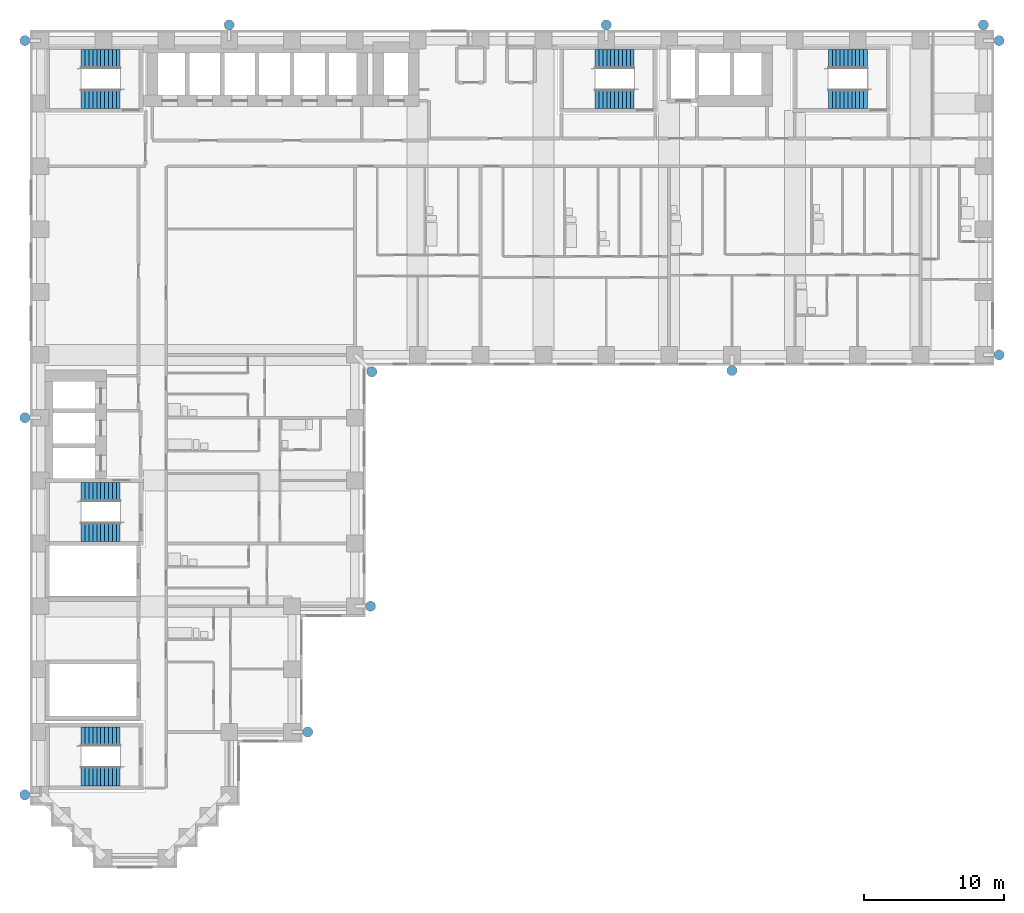
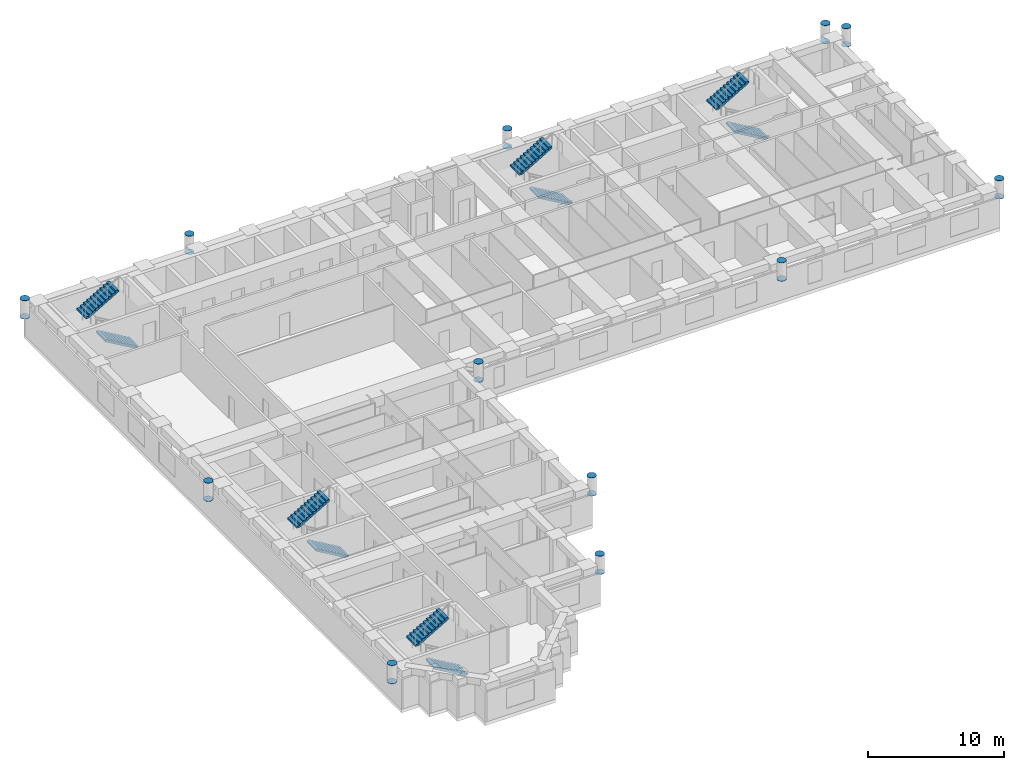
# One storey, part 12 of 14: 24 discrete accessories, 10 stair flights, 5 elements without a shape of their own.
"""IFC4 building model written with IfcOpenShell, lengths in metres."""

from ifc_helpers import new_model, si_unit, direction, frame, origin, origin_2d, place, context, subcontext, project, spatial, polyline, circle, outline, extrude, material, material_profile, profile_set, type_object, element, aggregate, save


model = new_model("IFC4")

# Units and contexts
model_context = context("Model", 3, precision=1e-05, world=origin(), true_north=direction((0.0, 1.0)))
body_context = subcontext(model_context, "Body", "Model", "MODEL_VIEW")
ifc_project = project(units=[si_unit("LENGTHUNIT", "METRE"), si_unit("AREAUNIT", "SQUARE_METRE"), si_unit("VOLUMEUNIT", "CUBIC_METRE"), si_unit("PLANEANGLEUNIT", "RADIAN"), si_unit("MASSUNIT", "GRAM", prefix="KILO")], contexts=[model_context])

# Site, building, storey
site_placement = place(None, origin())
site = spatial("IfcSite", under=ifc_project, at=site_placement, CompositionType="ELEMENT")
building_placement = place(site_placement, origin())
building = spatial("IfcBuilding", under=site, at=building_placement, Name="Firuza Court", CompositionType="ELEMENT")
storey_placement = place(building_placement, frame((0.0, 0.0, 90.199951171875)))
storey = spatial("IfcBuildingStorey", under=building, at=storey_placement, Name="L22", CompositionType="ELEMENT", Elevation=90.199951171875)

# Stair, stair flights
ifc_material_1 = material(Name="Concrete C40/50 precast", Category="concrete")
stair_type = type_object("IfcStairType", Name="Stair 1350 x 3600 2 flights", PredefinedType="HALF_TURN_STAIR", material=ifc_material_1)
stair_1_placement = place(storey_placement, origin())
stair_1 = element("IfcStair", 1, at=stair_1_placement, inside=storey, type_object=stair_type, Name="Stair 1 L22", PredefinedType="HALF_TURN_STAIR")
ifc_material_2 = material(Name="Concrete C40/50 precast", Category="concrete")
stair_flight_type = type_object("IfcStairFlightType", Name="Flight 1350 riser 163.6", PredefinedType="STRAIGHT", material=ifc_material_2)
stair_flight_1_placement = place(storey_placement, frame((42.5, 54.324951171875, 0.0), z_axis=(0.0, 0.0, 1.0), x_axis=(-1.0, 0.0, 0.0)))
stair_flight_1 = element("IfcStairFlight", 2, at=stair_flight_1_placement, type_object=stair_flight_type, Name="S1 flight 1", NumberOfRisers=11, NumberOfTreads=10, PredefinedType="STRAIGHT", RiserHeight=0.163636364, TreadLength=0.28, context=body_context, shape_type="SweptSolid", body=[
    extrude(outline(polyline([(0.0, 0.0), (0.0, 0.16357421875), (0.280029296875, 0.16357421875), (0.280029296875, 0.327392578125), (0.56005859375, 0.327392578125), (0.56005859375, 0.490966796875), (0.840087890625, 0.490966796875), (0.840087890625, 0.654541015625), (1.1201171875, 0.654541015625), (1.1201171875, 0.818115234375), (1.39990234375, 0.818115234375), (1.39990234375, 0.98193359375), (1.679931640625, 0.98193359375), (1.679931640625, 1.1455078125), (1.9599609375, 1.1455078125), (1.9599609375, 1.30908203125), (2.239990234375, 1.30908203125), (2.239990234375, 1.47265625), (2.52001953125, 1.47265625), (2.52001953125, 1.636474609375), (2.800048828125, 1.636474609375), (2.800048828125, 1.800048828125), (2.800048828125, 1.462646484375), (0.297119140625, 0.0), (0.0, 0.0)])), frame((0.0, 0.675048828125, 0.0), z_axis=(0.0, -1.0, 0.0), x_axis=(1.0, 0.0, 0.0)), (0.0, 0.0, 1.0), 1.35009765625),
])
stair_flight_2_placement = place(storey_placement, frame((39.699951171875, 57.175048828125, 1.800048828125), z_axis=(0.0, 0.0, 1.0), x_axis=(1.0, 0.0, 0.0)))
stair_flight_2 = element("IfcStairFlight", 3, at=stair_flight_2_placement, type_object=stair_flight_type, Name="S1 flight 2", NumberOfRisers=11, NumberOfTreads=10, PredefinedType="STRAIGHT", RiserHeight=0.163636364, TreadLength=0.28, context=body_context, shape_type="SweptSolid", body=[
    extrude(outline(polyline([(0.0, 0.0), (0.0, 0.16357421875), (0.280029296875, 0.16357421875), (0.280029296875, 0.327392578125), (0.56005859375, 0.327392578125), (0.56005859375, 0.490966796875), (0.840087890625, 0.490966796875), (0.840087890625, 0.654541015625), (1.1201171875, 0.654541015625), (1.1201171875, 0.818115234375), (1.39990234375, 0.818115234375), (1.39990234375, 0.98193359375), (1.679931640625, 0.98193359375), (1.679931640625, 1.1455078125), (1.9599609375, 1.1455078125), (1.9599609375, 1.30908203125), (2.239990234375, 1.30908203125), (2.239990234375, 1.47265625), (2.52001953125, 1.47265625), (2.52001953125, 1.636474609375), (2.800048828125, 1.636474609375), (2.800048828125, 1.800048828125), (2.800048828125, 1.462646484375), (0.297119140625, 0.0), (0.0, 0.0)])), frame((0.0, 0.675048828125, 0.0), z_axis=(0.0, -1.0, 0.0), x_axis=(1.0, 0.0, 0.0)), (0.0, 0.0, 1.0), 1.35009765625),
])
aggregate(stair_1, [stair_flight_1, stair_flight_2])

stair_2_placement = place(storey_placement, origin())
stair_2 = element("IfcStair", 4, at=stair_2_placement, inside=storey, type_object=stair_type, Name="Stair 2 L22", PredefinedType="HALF_TURN_STAIR")
stair_flight_3_placement = place(storey_placement, frame((5.699951171875, 23.324951171875, 0.0), z_axis=(0.0, 0.0, 1.0), x_axis=(-1.0, 0.0, 0.0)))
stair_flight_3 = element("IfcStairFlight", 5, at=stair_flight_3_placement, type_object=stair_flight_type, Name="S2 flight 1", NumberOfRisers=11, NumberOfTreads=10, PredefinedType="STRAIGHT", RiserHeight=0.163636364, TreadLength=0.28, context=body_context, shape_type="SweptSolid", body=[
    extrude(outline(polyline([(0.0, 0.0), (0.0, 0.16357421875), (0.280029296875, 0.16357421875), (0.280029296875, 0.327392578125), (0.56005859375, 0.327392578125), (0.56005859375, 0.490966796875), (0.840087890625, 0.490966796875), (0.840087890625, 0.654541015625), (1.1201171875, 0.654541015625), (1.1201171875, 0.818115234375), (1.39990234375, 0.818115234375), (1.39990234375, 0.98193359375), (1.679931640625, 0.98193359375), (1.679931640625, 1.1455078125), (1.9599609375, 1.1455078125), (1.9599609375, 1.30908203125), (2.239990234375, 1.30908203125), (2.239990234375, 1.47265625), (2.52001953125, 1.47265625), (2.52001953125, 1.636474609375), (2.800048828125, 1.636474609375), (2.800048828125, 1.800048828125), (2.800048828125, 1.462646484375), (0.297119140625, 0.0), (0.0, 0.0)])), frame((0.0, 0.675048828125, 0.0), z_axis=(0.0, -1.0, 0.0), x_axis=(1.0, 0.0, 0.0)), (0.0, 0.0, 1.0), 1.35009765625),
])
stair_flight_4_placement = place(storey_placement, frame((2.89990234375, 26.175048828125, 1.800048828125), z_axis=(0.0, 0.0, 1.0), x_axis=(1.0, 0.0, 0.0)))
stair_flight_4 = element("IfcStairFlight", 6, at=stair_flight_4_placement, type_object=stair_flight_type, Name="S2 flight 2", NumberOfRisers=11, NumberOfTreads=10, PredefinedType="STRAIGHT", RiserHeight=0.163636364, TreadLength=0.28, context=body_context, shape_type="SweptSolid", body=[
    extrude(outline(polyline([(0.0, 0.0), (0.0, 0.16357421875), (0.280029296875, 0.16357421875), (0.280029296875, 0.327392578125), (0.56005859375, 0.327392578125), (0.56005859375, 0.490966796875), (0.840087890625, 0.490966796875), (0.840087890625, 0.654541015625), (1.1201171875, 0.654541015625), (1.1201171875, 0.818115234375), (1.39990234375, 0.818115234375), (1.39990234375, 0.98193359375), (1.679931640625, 0.98193359375), (1.679931640625, 1.1455078125), (1.9599609375, 1.1455078125), (1.9599609375, 1.30908203125), (2.239990234375, 1.30908203125), (2.239990234375, 1.47265625), (2.52001953125, 1.47265625), (2.52001953125, 1.636474609375), (2.800048828125, 1.636474609375), (2.800048828125, 1.800048828125), (2.800048828125, 1.462646484375), (0.297119140625, 0.0), (0.0, 0.0)])), frame((0.0, 0.675048828125, 0.0), z_axis=(0.0, -1.0, 0.0), x_axis=(1.0, 0.0, 0.0)), (0.0, 0.0, 1.0), 1.35009765625),
])
aggregate(stair_2, [stair_flight_3, stair_flight_4])

stair_3_placement = place(storey_placement, origin())
stair_3 = element("IfcStair", 7, at=stair_3_placement, inside=storey, type_object=stair_type, Name="Stair 3 L22", PredefinedType="HALF_TURN_STAIR")
stair_flight_5_placement = place(storey_placement, frame((5.699951171875, 54.324951171875, 0.0), z_axis=(0.0, 0.0, 1.0), x_axis=(-1.0, 0.0, 0.0)))
stair_flight_5 = element("IfcStairFlight", 8, at=stair_flight_5_placement, type_object=stair_flight_type, Name="S3 flight 1", NumberOfRisers=11, NumberOfTreads=10, PredefinedType="STRAIGHT", RiserHeight=0.163636364, TreadLength=0.28, context=body_context, shape_type="SweptSolid", body=[
    extrude(outline(polyline([(0.0, 0.0), (0.0, 0.16357421875), (0.280029296875, 0.16357421875), (0.280029296875, 0.327392578125), (0.56005859375, 0.327392578125), (0.56005859375, 0.490966796875), (0.840087890625, 0.490966796875), (0.840087890625, 0.654541015625), (1.1201171875, 0.654541015625), (1.1201171875, 0.818115234375), (1.39990234375, 0.818115234375), (1.39990234375, 0.98193359375), (1.679931640625, 0.98193359375), (1.679931640625, 1.1455078125), (1.9599609375, 1.1455078125), (1.9599609375, 1.30908203125), (2.239990234375, 1.30908203125), (2.239990234375, 1.47265625), (2.52001953125, 1.47265625), (2.52001953125, 1.636474609375), (2.800048828125, 1.636474609375), (2.800048828125, 1.800048828125), (2.800048828125, 1.462646484375), (0.297119140625, 0.0), (0.0, 0.0)])), frame((0.0, 0.675048828125, 0.0), z_axis=(0.0, -1.0, 0.0), x_axis=(1.0, 0.0, 0.0)), (0.0, 0.0, 1.0), 1.35009765625),
])
stair_flight_6_placement = place(storey_placement, frame((2.89990234375, 57.175048828125, 1.800048828125), z_axis=(0.0, 0.0, 1.0), x_axis=(1.0, 0.0, 0.0)))
stair_flight_6 = element("IfcStairFlight", 9, at=stair_flight_6_placement, type_object=stair_flight_type, Name="S3 flight 2", NumberOfRisers=11, NumberOfTreads=10, PredefinedType="STRAIGHT", RiserHeight=0.163636364, TreadLength=0.28, context=body_context, shape_type="SweptSolid", body=[
    extrude(outline(polyline([(0.0, 0.0), (0.0, 0.16357421875), (0.280029296875, 0.16357421875), (0.280029296875, 0.327392578125), (0.56005859375, 0.327392578125), (0.56005859375, 0.490966796875), (0.840087890625, 0.490966796875), (0.840087890625, 0.654541015625), (1.1201171875, 0.654541015625), (1.1201171875, 0.818115234375), (1.39990234375, 0.818115234375), (1.39990234375, 0.98193359375), (1.679931640625, 0.98193359375), (1.679931640625, 1.1455078125), (1.9599609375, 1.1455078125), (1.9599609375, 1.30908203125), (2.239990234375, 1.30908203125), (2.239990234375, 1.47265625), (2.52001953125, 1.47265625), (2.52001953125, 1.636474609375), (2.800048828125, 1.636474609375), (2.800048828125, 1.800048828125), (2.800048828125, 1.462646484375), (0.297119140625, 0.0), (0.0, 0.0)])), frame((0.0, 0.675048828125, 0.0), z_axis=(0.0, -1.0, 0.0), x_axis=(1.0, 0.0, 0.0)), (0.0, 0.0, 1.0), 1.35009765625),
])
aggregate(stair_3, [stair_flight_5, stair_flight_6])

stair_4_placement = place(storey_placement, origin())
stair_4 = element("IfcStair", 10, at=stair_4_placement, inside=storey, type_object=stair_type, Name="Stair 4 L22", PredefinedType="HALF_TURN_STAIR")
stair_flight_7_placement = place(storey_placement, frame((59.199951171875, 54.324951171875, 0.0), z_axis=(0.0, 0.0, 1.0), x_axis=(-1.0, 0.0, 0.0)))
stair_flight_7 = element("IfcStairFlight", 11, at=stair_flight_7_placement, type_object=stair_flight_type, Name="S4 flight 1", NumberOfRisers=11, NumberOfTreads=10, PredefinedType="STRAIGHT", RiserHeight=0.163636364, TreadLength=0.28, context=body_context, shape_type="SweptSolid", body=[
    extrude(outline(polyline([(0.0, 0.0), (0.0, 0.16357421875), (0.280029296875, 0.16357421875), (0.280029296875, 0.327392578125), (0.56005859375, 0.327392578125), (0.56005859375, 0.490966796875), (0.840087890625, 0.490966796875), (0.840087890625, 0.654541015625), (1.1201171875, 0.654541015625), (1.1201171875, 0.818115234375), (1.39990234375, 0.818115234375), (1.39990234375, 0.98193359375), (1.679931640625, 0.98193359375), (1.679931640625, 1.1455078125), (1.9599609375, 1.1455078125), (1.9599609375, 1.30908203125), (2.239990234375, 1.30908203125), (2.239990234375, 1.47265625), (2.52001953125, 1.47265625), (2.52001953125, 1.636474609375), (2.800048828125, 1.636474609375), (2.800048828125, 1.800048828125), (2.800048828125, 1.462646484375), (0.297119140625, 0.0), (0.0, 0.0)])), frame((0.0, 0.675048828125, 0.0), z_axis=(0.0, -1.0, 0.0), x_axis=(1.0, 0.0, 0.0)), (0.0, 0.0, 1.0), 1.35009765625),
])
stair_flight_8_placement = place(storey_placement, frame((56.39990234375, 57.175048828125, 1.800048828125), z_axis=(0.0, 0.0, 1.0), x_axis=(1.0, 0.0, 0.0)))
stair_flight_8 = element("IfcStairFlight", 12, at=stair_flight_8_placement, type_object=stair_flight_type, Name="S4 flight 2", NumberOfRisers=11, NumberOfTreads=10, PredefinedType="STRAIGHT", RiserHeight=0.163636364, TreadLength=0.28, context=body_context, shape_type="SweptSolid", body=[
    extrude(outline(polyline([(0.0, 0.0), (0.0, 0.16357421875), (0.280029296875, 0.16357421875), (0.280029296875, 0.327392578125), (0.56005859375, 0.327392578125), (0.56005859375, 0.490966796875), (0.840087890625, 0.490966796875), (0.840087890625, 0.654541015625), (1.1201171875, 0.654541015625), (1.1201171875, 0.818115234375), (1.39990234375, 0.818115234375), (1.39990234375, 0.98193359375), (1.679931640625, 0.98193359375), (1.679931640625, 1.1455078125), (1.9599609375, 1.1455078125), (1.9599609375, 1.30908203125), (2.239990234375, 1.30908203125), (2.239990234375, 1.47265625), (2.52001953125, 1.47265625), (2.52001953125, 1.636474609375), (2.800048828125, 1.636474609375), (2.800048828125, 1.800048828125), (2.800048828125, 1.462646484375), (0.297119140625, 0.0), (0.0, 0.0)])), frame((0.0, 0.675048828125, 0.0), z_axis=(0.0, -1.0, 0.0), x_axis=(1.0, 0.0, 0.0)), (0.0, 0.0, 1.0), 1.35009765625),
])
aggregate(stair_4, [stair_flight_7, stair_flight_8])

stair_5_placement = place(storey_placement, origin())
stair_5 = element("IfcStair", 13, at=stair_5_placement, inside=storey, type_object=stair_type, Name="Stair 5 L22", PredefinedType="HALF_TURN_STAIR")
stair_flight_9_placement = place(storey_placement, frame((5.699951171875, 5.824951171875, 0.0), z_axis=(0.0, 0.0, 1.0), x_axis=(-1.0, 0.0, 0.0)))
stair_flight_9 = element("IfcStairFlight", 14, at=stair_flight_9_placement, type_object=stair_flight_type, Name="S5 flight 1", NumberOfRisers=11, NumberOfTreads=10, PredefinedType="STRAIGHT", RiserHeight=0.163636364, TreadLength=0.28, context=body_context, shape_type="SweptSolid", body=[
    extrude(outline(polyline([(0.0, 0.0), (0.0, 0.16357421875), (0.280029296875, 0.16357421875), (0.280029296875, 0.327392578125), (0.56005859375, 0.327392578125), (0.56005859375, 0.490966796875), (0.840087890625, 0.490966796875), (0.840087890625, 0.654541015625), (1.1201171875, 0.654541015625), (1.1201171875, 0.818115234375), (1.39990234375, 0.818115234375), (1.39990234375, 0.98193359375), (1.679931640625, 0.98193359375), (1.679931640625, 1.1455078125), (1.9599609375, 1.1455078125), (1.9599609375, 1.30908203125), (2.239990234375, 1.30908203125), (2.239990234375, 1.47265625), (2.52001953125, 1.47265625), (2.52001953125, 1.636474609375), (2.800048828125, 1.636474609375), (2.800048828125, 1.800048828125), (2.800048828125, 1.462646484375), (0.297119140625, 0.0), (0.0, 0.0)])), frame((0.0, 0.675048828125, 0.0), z_axis=(0.0, -1.0, 0.0), x_axis=(1.0, 0.0, 0.0)), (0.0, 0.0, 1.0), 1.35009765625),
])
stair_flight_10_placement = place(storey_placement, frame((2.89990234375, 8.675048828125, 1.800048828125), z_axis=(0.0, 0.0, 1.0), x_axis=(1.0, 0.0, 0.0)))
stair_flight_10 = element("IfcStairFlight", 15, at=stair_flight_10_placement, type_object=stair_flight_type, Name="S5 flight 2", NumberOfRisers=11, NumberOfTreads=10, PredefinedType="STRAIGHT", RiserHeight=0.163636364, TreadLength=0.28, context=body_context, shape_type="SweptSolid", body=[
    extrude(outline(polyline([(0.0, 0.0), (0.0, 0.16357421875), (0.280029296875, 0.16357421875), (0.280029296875, 0.327392578125), (0.56005859375, 0.327392578125), (0.56005859375, 0.490966796875), (0.840087890625, 0.490966796875), (0.840087890625, 0.654541015625), (1.1201171875, 0.654541015625), (1.1201171875, 0.818115234375), (1.39990234375, 0.818115234375), (1.39990234375, 0.98193359375), (1.679931640625, 0.98193359375), (1.679931640625, 1.1455078125), (1.9599609375, 1.1455078125), (1.9599609375, 1.30908203125), (2.239990234375, 1.30908203125), (2.239990234375, 1.47265625), (2.52001953125, 1.47265625), (2.52001953125, 1.636474609375), (2.800048828125, 1.636474609375), (2.800048828125, 1.800048828125), (2.800048828125, 1.462646484375), (0.297119140625, 0.0), (0.0, 0.0)])), frame((0.0, 0.675048828125, 0.0), z_axis=(0.0, -1.0, 0.0), x_axis=(1.0, 0.0, 0.0)), (0.0, 0.0, 1.0), 1.35009765625),
])
aggregate(stair_5, [stair_flight_9, stair_flight_10])

# Discrete accessories
ifc_material_3 = material(Name="Steel S355", Category="steel")
ifc_material_profile = material_profile(ifc_material_3, circle(Radius=0.35546875, at=origin_2d()), Name="PL D711")
ifc_profile_set = profile_set([ifc_material_profile], Name="Steel S355")
discrete_accessory_type = type_object("IfcDiscreteAccessoryType", Name="DIAGRID NODE END PLATE", PredefinedType="NOTDEFINED", material=ifc_profile_set)
for number, where, z_axis, x_axis, name in (
    (16, (-1.1201171875, 4.5, 3.85009765625), (0.0, 0.0, 1.0), (1.0, 0.0, 0.0), "Diagrid node end plate level L22"),
    (17, (-1.1201171875, 4.5, 2.219970703125), (0.0, 0.0, 1.0), (1.0, 0.0, 0.0), "Diagrid node end plate level L22"),
    (18, (-1.1201171875, 31.5, 3.85009765625), (0.0, 0.0, 1.0), (1.0, 0.0, 0.0), "Diagrid node end plate level L22"),
    (19, (-1.1201171875, 31.5, 2.219970703125), (0.0, 0.0, 1.0), (1.0, 0.0, 0.0), "Diagrid node end plate level L22"),
    (20, (-1.1201171875, 58.5, 3.85009765625), (0.0, 0.0, 1.0), (1.0, 0.0, 0.0), "Diagrid node end plate level L22"),
    (21, (-1.1201171875, 58.5, 2.219970703125), (0.0, 0.0, 1.0), (1.0, 0.0, 0.0), "Diagrid node end plate level L22"),
    (22, (13.5, 59.6201171875, 3.85009765625), (0.0, 0.0, 1.0), (1.0, 0.0, 0.0), "Diagrid node end plate level L22"),
    (23, (13.5, 59.6201171875, 2.219970703125), (0.0, 0.0, 1.0), (1.0, 0.0, 0.0), "Diagrid node end plate level L22"),
    (24, (19.1201171875, 9.0, 3.85009765625), (0.0, 0.0, 1.0), (1.0, 0.0, 0.0), "Diagrid node end plate level L22"),
    (25, (19.1201171875, 9.0, 2.219970703125), (0.0, 0.0, 1.0), (1.0, 0.0, 0.0), "Diagrid node end plate level L22"),
    (26, (23.6201171875, 18.0, 3.85009765625), (0.0, 0.0, 1.0), (1.0, 0.0, 0.0), "Diagrid node end plate level L22"),
    (27, (23.6201171875, 18.0, 2.219970703125), (0.0, 0.0, 1.0), (1.0, 0.0, 0.0), "Diagrid node end plate level L22"),
    (28, (23.7099609375, 34.7900390625, 3.85009765625), (0.0, 0.0, 1.0), (1.0, 0.0, 0.0), "Diagrid node end plate level L22"),
    (29, (23.7099609375, 34.7900390625, 2.219970703125), (0.0, 0.0, 1.0), (1.0, 0.0, 0.0), "Diagrid node end plate level L22"),
    (30, (40.5, 59.6201171875, 3.85009765625), (0.0, 0.0, 1.0), (1.0, 0.0, 0.0), "Diagrid node end plate level L22"),
    (31, (40.5, 59.6201171875, 2.219970703125), (0.0, 0.0, 1.0), (1.0, 0.0, 0.0), "Diagrid node end plate level L22"),
    (32, (49.5, 34.8798828125, 3.85009765625), (0.0, 0.0, 1.0), (1.0, 0.0, 0.0), "Diagrid node end plate level L22"),
    (33, (49.5, 34.8798828125, 2.219970703125), (0.0, 0.0, 1.0), (1.0, 0.0, 0.0), "Diagrid node end plate level L22"),
    (34, (67.5, 59.6201171875, 3.85009765625), (0.0, 0.0, 1.0), (1.0, 0.0, 0.0), "Diagrid node end plate level L22"),
    (35, (67.5, 59.6201171875, 2.219970703125), (0.0, 0.0, 1.0), (1.0, 0.0, 0.0), "Diagrid node end plate level L22"),
    (36, (68.6201171875, 36.0, 3.85009765625), (0.0, 0.0, 1.0), (1.0, 0.0, 0.0), "Diagrid node end plate level L22"),
    (37, (68.6201171875, 36.0, 2.219970703125), (0.0, 0.0, 1.0), (1.0, 0.0, 0.0), "Diagrid node end plate level L22"),
    (38, (68.6201171875, 58.5, 3.85009765625), (0.0, 0.0, 1.0), (1.0, 0.0, 0.0), "Diagrid node end plate level L22"),
    (39, (68.6201171875, 58.5, 2.219970703125), (0.0, 0.0, 1.0), (1.0, 0.0, 0.0), "Diagrid node end plate level L22"),
):
    element("IfcDiscreteAccessory", number, at=place(storey_placement, frame(where, z_axis=z_axis, x_axis=x_axis)), inside=storey, type_object=discrete_accessory_type, Name=name, PredefinedType="NOTDEFINED", context=body_context, shape_type="SweptSolid", body=[
        extrude(circle(Radius=0.35546875, at=origin_2d()), origin(), (0.0, 0.0, 1.0), 0.030029296875),
    ])

save(model, "model.ifc")
